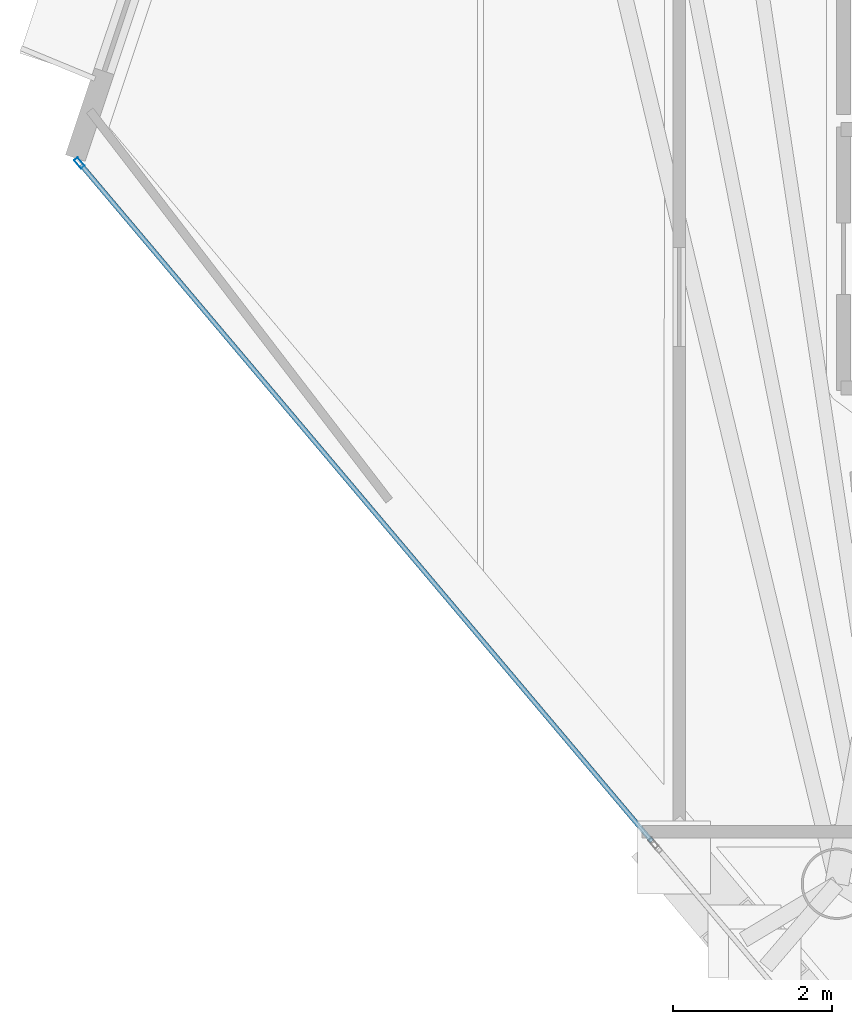
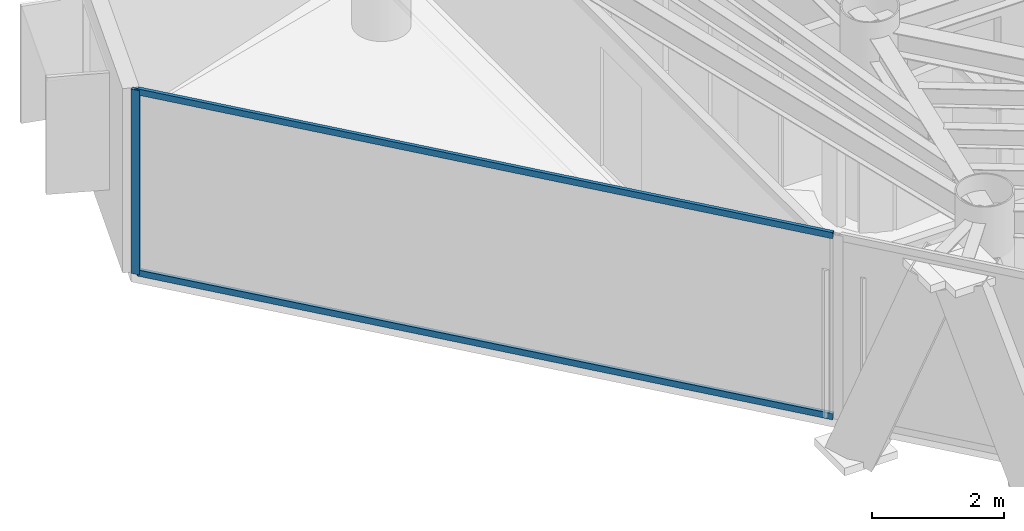
# One storey, part 7 of 20: 3 members, 1 element without a shape of its own.
"""IFC4 building model written with IfcOpenShell, lengths in metres."""

from ifc_helpers import new_model, si_unit, direction, frame, origin, origin_2d, place, context, subcontext, project, spatial, hollow_rectangle, extrude, material, layer, layer_set, material_profile, profile_set, type_object, element, aggregate, save


model = new_model("IFC4")

# Units and contexts
model_context = context("Model", 3, precision=1e-05, world=origin(), true_north=direction((0.0, 1.0)))
body_context = subcontext(model_context, "Body", "Model", "MODEL_VIEW")
ifc_project = project(units=[si_unit("LENGTHUNIT", "METRE"), si_unit("AREAUNIT", "SQUARE_METRE"), si_unit("VOLUMEUNIT", "CUBIC_METRE"), si_unit("PLANEANGLEUNIT", "RADIAN"), si_unit("MASSUNIT", "GRAM", prefix="KILO")], contexts=[model_context])

# Site, building, storey
site_placement = place(None, origin())
site = spatial("IfcSite", under=ifc_project, at=site_placement, CompositionType="ELEMENT")
building_placement = place(site_placement, origin())
building = spatial("IfcBuilding", under=site, at=building_placement, Name="Qianvela Tower", CompositionType="ELEMENT")
storey_placement = place(building_placement, frame((0.0, 0.0, 317.60009765625)))
storey = spatial("IfcBuildingStorey", under=building, at=storey_placement, Name="L82", CompositionType="ELEMENT", Elevation=317.60009765625)

# Curtain wall, members
ifc_material_1 = material(Name="Anodised Architectural Aluminium and Low-E Glass", Category="aluminium")
ifc_layer = layer(ifc_material_1, 0.14990234375)
ifc_layer_set = layer_set([ifc_layer], Name="Anodised Architectural Aluminium and Low-E Glass")
curtain_wall_type = type_object("IfcCurtainWallType", Name="CW-COLIV-Z78", PredefinedType="USERDEFINED", material=ifc_layer_set)
curtain_wall_placement = place(storey_placement, origin())
curtain_wall = element("IfcCurtainWall", 1, at=curtain_wall_placement, inside=storey, type_object=curtain_wall_type, Name="L82 CW-COLIV-Z78 Curtain Wall 04A", ObjectType="CURTAIN_WALL_SYSTEM", PredefinedType="USERDEFINED")
ifc_material_2 = material(Name="Anodised Architectural Aluminium 6063-T6", Category="aluminium")
ifc_material_profile_1 = material_profile(ifc_material_2, hollow_rectangle(XDim=0.06005859375, YDim=0.139892578125, WallThickness=0.00439453125, at=origin_2d()), Name="ALU-MULL-60x140")
ifc_profile_set_1 = profile_set([ifc_material_profile_1], Name="Anodised Architectural Aluminium 6063-T6")
member_type_1 = type_object("IfcMemberType", Name="CW-COLIV-Z78-MULL", PredefinedType="MULLION", material=ifc_profile_set_1)
member_1_placement = place(storey_placement, frame((18.112548828125, 27.868896484375, 0.0), z_axis=(0.0, 0.0, 1.0), x_axis=(0.764240322603, 0.644931569476, 0.0)))
member_1 = element("IfcMember", 2, at=member_1_placement, type_object=member_type_1, Name="CW-6 mullion 1", PredefinedType="MULLION", context=body_context, shape_type="SweptSolid", body=[
    extrude(hollow_rectangle(XDim=0.06005859375, YDim=0.139892578125, WallThickness=0.00439453125, at=origin_2d()), origin(), (0.0, 0.0, 1.0), 3.39990234375),
])
ifc_material_3 = material(Name="Anodised Architectural Aluminium 6063-T6", Category="aluminium")
ifc_material_profile_2 = material_profile(ifc_material_3, hollow_rectangle(XDim=0.06005859375, YDim=0.114990234375, WallThickness=0.00390625, at=origin_2d()), Name="ALU-TRAN-60x115")
ifc_profile_set_2 = profile_set([ifc_material_profile_2], Name="Anodised Architectural Aluminium 6063-T6")
member_type_2 = type_object("IfcMemberType", Name="CW-COLIV-Z78-TRAN", PredefinedType="USERDEFINED", material=ifc_profile_set_2)
member_2_placement = place(storey_placement, frame((18.1318359375, 27.845947265625, 0.02978515625), z_axis=(0.644938365887, -0.764234587157, 0.0), x_axis=(0.764234587157, 0.644938365887, 0.0)))
member_2 = element("IfcMember", 3, at=member_2_placement, type_object=member_type_2, Name="CW-6 transom 1.1", ObjectType="TRANSOM", PredefinedType="USERDEFINED", context=body_context, shape_type="SweptSolid", body=[
    extrude(hollow_rectangle(XDim=0.06005859375, YDim=0.114990234375, WallThickness=0.00390625, at=origin_2d()), origin(), (0.0, 0.0, 1.0), 11.169921875),
])
member_3_placement = place(storey_placement, frame((18.1318359375, 27.845947265625, 3.369873046875), z_axis=(0.644938365887, -0.764234587157, 0.0), x_axis=(0.764234587157, 0.644938365887, 0.0)))
member_3 = element("IfcMember", 4, at=member_3_placement, type_object=member_type_2, Name="CW-6 transom 1.2", ObjectType="TRANSOM", PredefinedType="USERDEFINED", context=body_context, shape_type="SweptSolid", body=[
    extrude(hollow_rectangle(XDim=0.06005859375, YDim=0.114990234375, WallThickness=0.00390625, at=origin_2d()), origin(), (0.0, 0.0, 1.0), 11.169921875),
])
aggregate(curtain_wall, [member_1, member_2, member_3])

save(model, "model.ifc")
